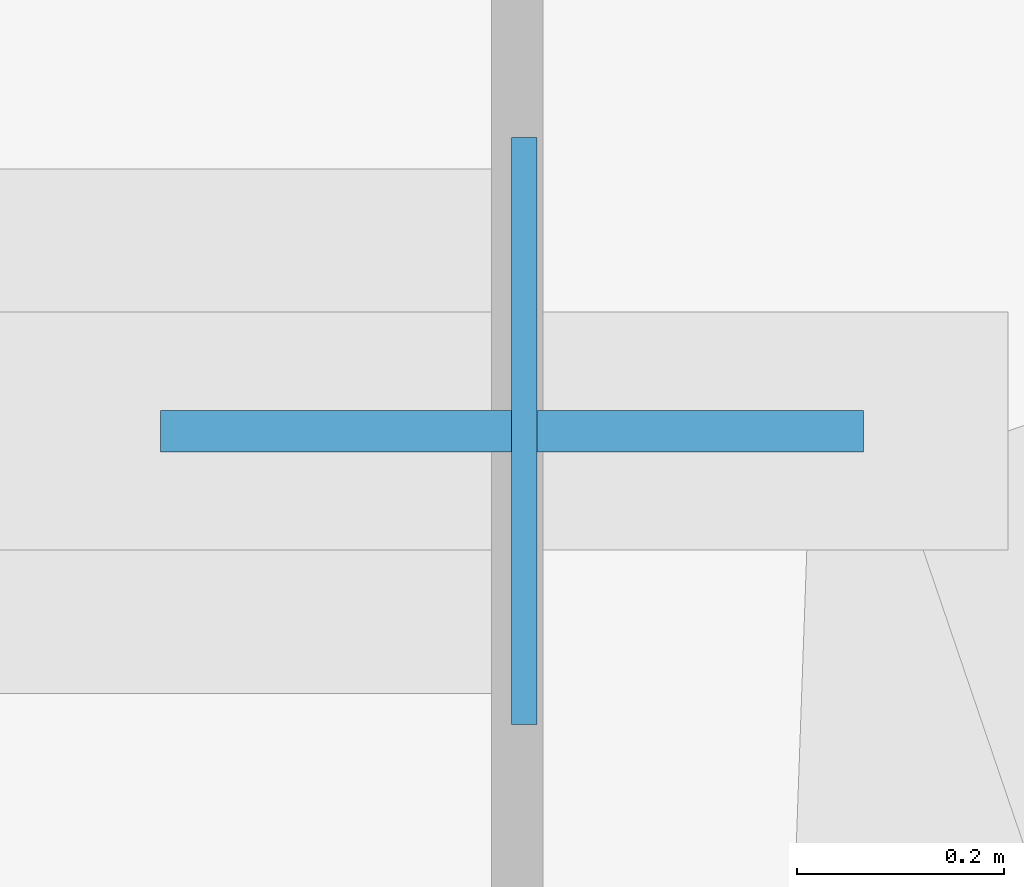
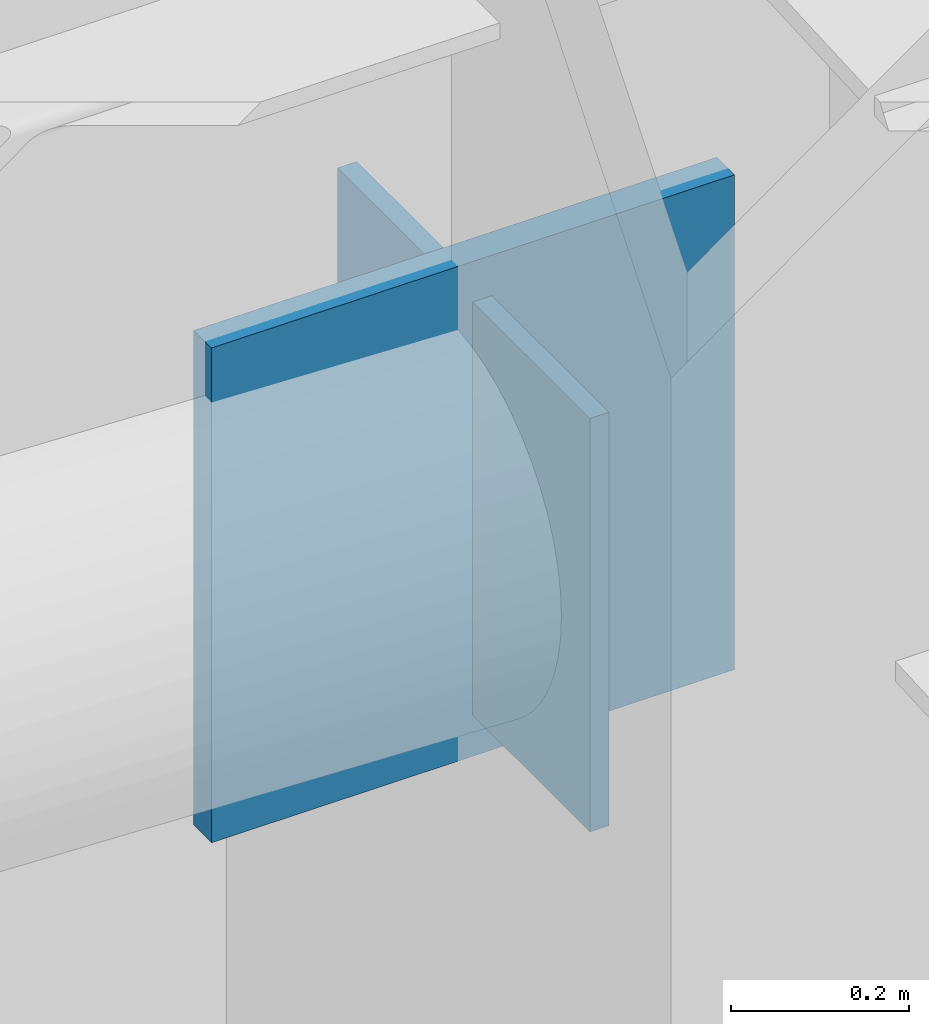
# One storey, part 7 of 16: 2 plates.
"""IFC4 building model written with IfcOpenShell, lengths in metres."""

import ifcopenshell
import ifcopenshell.guid

model = None  # the IFC model being written
_history = None  # IfcOwnerHistory: only IFC2X3 demands one
_inside = {}  # id of a spatial element -> (the spatial element, [elements in it])
_under = {}  # id of a project, library or spatial element -> (it, [spatial elements below it])
_declared = {}  # id of a project -> (the project, [libraries it declares])
_typed = {}  # id of a type object -> (the type object, [elements of that type])
_made_of = {}  # id of a material, layer set ... -> (it, [elements and type objects made of it])


def new_model(schema):
    """Start an empty IFC model of exactly this schema.

    Asked for "IFC4X3", IfcOpenShell would pick the latest addendum, in which some entities
    have other attributes; the version numbers below select the first issue.
    IFC2X3 requires an IfcOwnerHistory on every rooted entity: one is made here for all.
    """
    global model, _history
    if schema == "IFC4X3":
        model = ifcopenshell.file(schema_version=(4, 3, 0, 0))
    else:
        model = ifcopenshell.file(schema=schema)
    _inside.clear()
    _under.clear()
    _declared.clear()
    _typed.clear()
    _made_of.clear()
    _history = None
    if model.schema == "IFC2X3":
        org = make("IfcOrganization", Name="unknown")
        user = make(
            "IfcPersonAndOrganization",
            ThePerson=make("IfcPerson", FamilyName="unknown"),
            TheOrganization=org,
        )
        app = make(
            "IfcApplication",
            ApplicationDeveloper=org,
            Version="unknown",
            ApplicationFullName="unknown",
            ApplicationIdentifier="unknown",
        )
        _history = make(
            "IfcOwnerHistory",
            OwningUser=user,
            OwningApplication=app,
            ChangeAction="ADDED",
            CreationDate=0,
        )
    return model


def make(cls, **values):
    """One entity of the class cls with the attributes given. An attribute that is None is left unset."""
    return model.create_entity(
        cls, **{name: value for name, value in values.items() if value is not None}
    )


def rooted(cls, **values):
    """An entity with a GlobalId (a new one), such as an element, a storey or a relation."""
    return make(cls, GlobalId=ifcopenshell.guid.new(), OwnerHistory=_history, **values)


def si_unit(unit_type, name, prefix=None):
    """IfcSIUnit, for example si_unit("LENGTHUNIT", "METRE", prefix="MILLI")."""
    return make("IfcSIUnit", UnitType=unit_type, Prefix=prefix, Name=name)


def assignment(units):
    """IfcUnitAssignment: the units of a project."""
    return None if units is None else make("IfcUnitAssignment", Units=units)


def point(xyz):
    """IfcCartesianPoint."""
    return None if xyz is None else make("IfcCartesianPoint", Coordinates=xyz)


def direction(xyz):
    """IfcDirection."""
    return None if xyz is None else make("IfcDirection", DirectionRatios=xyz)


def frame(location, z_axis=None, x_axis=None):
    """IfcAxis2Placement3D, a coordinate frame: its origin and axes. An axis left out is left unset."""
    return make(
        "IfcAxis2Placement3D",
        Location=point(location),
        Axis=direction(z_axis),
        RefDirection=direction(x_axis),
    )


def frame_2d(location, x_axis=None):
    """IfcAxis2Placement2D, a coordinate frame in the plane: its origin and x axis."""
    return make(
        "IfcAxis2Placement2D", Location=point(location), RefDirection=direction(x_axis)
    )


def origin():
    """The frame at (0, 0, 0) with its axes left unset."""
    return frame((0.0, 0.0, 0.0))


def origin_2d():
    """The frame at (0, 0) in the plane with its x axis left unset."""
    return frame_2d((0.0, 0.0))


def place(relative_to, where):
    """IfcLocalPlacement: puts the frame where relative to a parent placement (None: the world)."""
    return make(
        "IfcLocalPlacement", PlacementRelTo=relative_to, RelativePlacement=where
    )


def context(
    kind, dimensions, precision=None, world=None, true_north=None, identifier=None
):
    """IfcGeometricRepresentationContext, for example the 3D "Model" context."""
    return make(
        "IfcGeometricRepresentationContext",
        ContextIdentifier=identifier,
        ContextType=kind,
        CoordinateSpaceDimension=dimensions,
        Precision=precision,
        WorldCoordinateSystem=world,
        TrueNorth=true_north,
    )


def subcontext(parent, identifier, kind, view, scale=None):
    """IfcGeometricRepresentationSubContext, for example "Body" below "Model"."""
    return make(
        "IfcGeometricRepresentationSubContext",
        ContextIdentifier=identifier,
        ContextType=kind,
        ParentContext=parent,
        TargetScale=scale,
        TargetView=view,
    )


def project(units=None, contexts=None):
    """IfcProject with its units and contexts."""
    return rooted(
        "IfcProject",
        Name="project",
        RepresentationContexts=contexts,
        UnitsInContext=assignment(units),
    )


def spatial(cls, under=None, at=None, **own):
    """A site, building, storey or space (cls), placed at a placement, below another one or the project."""
    s = rooted(cls, ObjectPlacement=at, **own)
    if under is not None:
        _under.setdefault(under.id(), (under, []))[1].append(s)
    return s


def profile(cls, at=None, kind="AREA", **sizes):
    """A parametric profile (cls). Its sizes go by their IFC names, for example OverallWidth=200.0."""
    return make(cls, ProfileType=kind, Position=at, **sizes)


def rectangle(**sizes):
    """IfcRectangleProfileDef."""
    return profile("IfcRectangleProfileDef", **sizes)


def extrude(swept, where, along, depth):
    """IfcExtrudedAreaSolid: the profile swept, set in the frame where, extruded along a direction by depth."""
    return make(
        "IfcExtrudedAreaSolid",
        SweptArea=swept,
        Position=where,
        ExtrudedDirection=direction(along),
        Depth=depth,
    )


def shape(context_of_items, identifier, shape_type, items):
    """IfcShapeRepresentation: the items that make up one representation, for example the "Body"."""
    return make(
        "IfcShapeRepresentation",
        ContextOfItems=context_of_items,
        RepresentationIdentifier=identifier,
        RepresentationType=shape_type,
        Items=items,
    )


def material(Name=None, Category=None):
    """IfcMaterial."""
    return make("IfcMaterial", Name=Name, Category=Category)


def layer(
    of_material, thickness, ventilated=None, Name=None, Category=None, Priority=None
):
    """IfcMaterialLayer: one layer of a wall or slab, of a material (None: an air gap)."""
    return make(
        "IfcMaterialLayer",
        Material=of_material,
        LayerThickness=thickness,
        IsVentilated=ventilated,
        Name=Name,
        Category=Category,
        Priority=Priority,
    )


def layer_set(layers, Name=None):
    """IfcMaterialLayerSet."""
    return make("IfcMaterialLayerSet", MaterialLayers=layers, LayerSetName=Name)


def made_of(thing, what):
    """Note that an element or type object is made of a material, layer set ...; save() writes the relation."""
    if what is not None:
        _made_of.setdefault(what.id(), (what, []))[1].append(thing)
    return thing


def type_object(cls, material=None, **own):
    """A type object (cls), such as IfcWallType, which elements share."""
    return made_of(rooted(cls, **own), material)


def element(
    cls,
    number,
    at=None,
    inside=None,
    cuts=None,
    type_object=None,
    material=None,
    context=None,
    identifier="Body",
    shape_type=None,
    held_by="IfcProductDefinitionShape",
    body=None,
    shapes=None,
    **own,
):
    """One element of the class cls, such as IfcWall. Its Tag is "e" and its number.

    at: its placement. inside: the storey or other place that contains it. cuts: it is an
    opening in that element (IfcRelVoidsElement). A single representation is given by context,
    identifier, shape_type and body (its items); several are given by shapes. held_by: the class
    of the entity that holds the representations. save() writes the other relations.
    """
    e = rooted(cls, Tag="e%d" % number, ObjectPlacement=at, **own)
    if body is not None:
        shapes = [shape(context, identifier, shape_type, body)]
    if shapes is not None:
        e.Representation = make(held_by, Representations=shapes)
    if inside is not None:
        _inside.setdefault(inside.id(), (inside, []))[1].append(e)
    if cuts is not None:
        rooted(
            "IfcRelVoidsElement", RelatingBuildingElement=cuts, RelatedOpeningElement=e
        )
    if type_object is not None:
        _typed.setdefault(type_object.id(), (type_object, []))[1].append(e)
    return made_of(e, material)


def aggregate(whole, parts):
    """IfcRelAggregates: a whole, such as a stair, and the parts it consists of."""
    return rooted("IfcRelAggregates", RelatingObject=whole, RelatedObjects=parts)


def save(model, path):
    """Write the relations noted so far, then the file.

    IfcRelAggregates (storeys below a building ...), IfcRelContainedInSpatialStructure (elements
    in a storey), IfcRelDefinesByType, IfcRelAssociatesMaterial and IfcRelDeclares: one each for
    every whole, place, type object, material and project.
    """
    for whole, parts in _under.values():
        aggregate(whole, parts)
    for where, things in _inside.values():
        rooted(
            "IfcRelContainedInSpatialStructure",
            RelatedElements=things,
            RelatingStructure=where,
        )
    for kind, things in _typed.values():
        rooted("IfcRelDefinesByType", RelatedObjects=things, RelatingType=kind)
    for what, things in _made_of.values():
        rooted("IfcRelAssociatesMaterial", RelatedObjects=things, RelatingMaterial=what)
    for by, libraries in _declared.values():
        rooted("IfcRelDeclares", RelatingContext=by, RelatedDefinitions=libraries)
    model.write(path)


model = new_model("IFC4")

# Units and contexts
model_context = context("Model", 3, precision=1e-05, world=origin(), true_north=direction((0.0, 1.0)))
body_context = subcontext(model_context, "Body", "Model", "MODEL_VIEW")
ifc_project = project(units=[si_unit("LENGTHUNIT", "METRE"), si_unit("AREAUNIT", "SQUARE_METRE"), si_unit("VOLUMEUNIT", "CUBIC_METRE"), si_unit("PLANEANGLEUNIT", "RADIAN"), si_unit("MASSUNIT", "GRAM", prefix="KILO")], contexts=[model_context])

# Site, building, storey
site_placement = place(None, origin())
site = spatial("IfcSite", under=ifc_project, at=site_placement, CompositionType="ELEMENT")
building_placement = place(site_placement, origin())
building = spatial("IfcBuilding", under=site, at=building_placement, Name="Khamvora Tower", CompositionType="ELEMENT")
storey_placement = place(building_placement, frame((0.0, 0.0, 77.10009765625)))
storey = spatial("IfcBuildingStorey", under=building, at=storey_placement, Name="L19", CompositionType="ELEMENT", Elevation=77.10009765625)

# Plates
ifc_material_1 = material(Name="Steel S355", Category="steel")
ifc_layer_1 = layer(ifc_material_1, 0.02490234375)
ifc_layer_set_1 = layer_set([ifc_layer_1], Name="Steel S355")
plate_type_1 = type_object("IfcPlateType", Name="PL-CAP-25", PredefinedType="SHEET", material=ifc_layer_set_1)
plate_1_placement = place(storey_placement, frame((43.781982421875, 50.800048828125, 2.4140625), z_axis=(0.0, 0.0, 1.0), x_axis=(-1.0, 0.0, 0.0)))
element("IfcPlate", 1, at=plate_1_placement, inside=storey, type_object=plate_type_1, Name="L19 hollow section steel end cap plate 0606", PredefinedType="SHEET", context=body_context, shape_type="SweptSolid", body=[
    extrude(rectangle(XDim=0.02490234375, YDim=0.568115234375, at=origin_2d()), origin(), (0.0, 0.0, 1.0), 0.568115234375),
])
ifc_material_2 = material(Name="Steel S460", Category="steel")
ifc_layer_2 = layer(ifc_material_2, 0.0400390625)
ifc_layer_set_2 = layer_set([ifc_layer_2], Name="Steel S460")
plate_type_2 = type_object("IfcPlateType", Name="PLT-GUS-40", PredefinedType="SHEET", material=ifc_layer_set_2)
plate_2_placement = place(storey_placement, frame((43.77001953125, 50.800048828125, 2.35791015625), z_axis=(0.0, 0.0, 1.0), x_axis=(1.0, 0.0, 0.0)))
element("IfcPlate", 2, at=plate_2_placement, inside=storey, type_object=plate_type_2, Name="L19 brace connection node gusset plate 0123", PredefinedType="SHEET", context=body_context, shape_type="SweptSolid", body=[
    extrude(rectangle(XDim=0.679931640625, YDim=0.0400390625, at=origin_2d()), origin(), (0.0, 0.0, 1.0), 0.679931640625),
])

save(model, "model.ifc")
